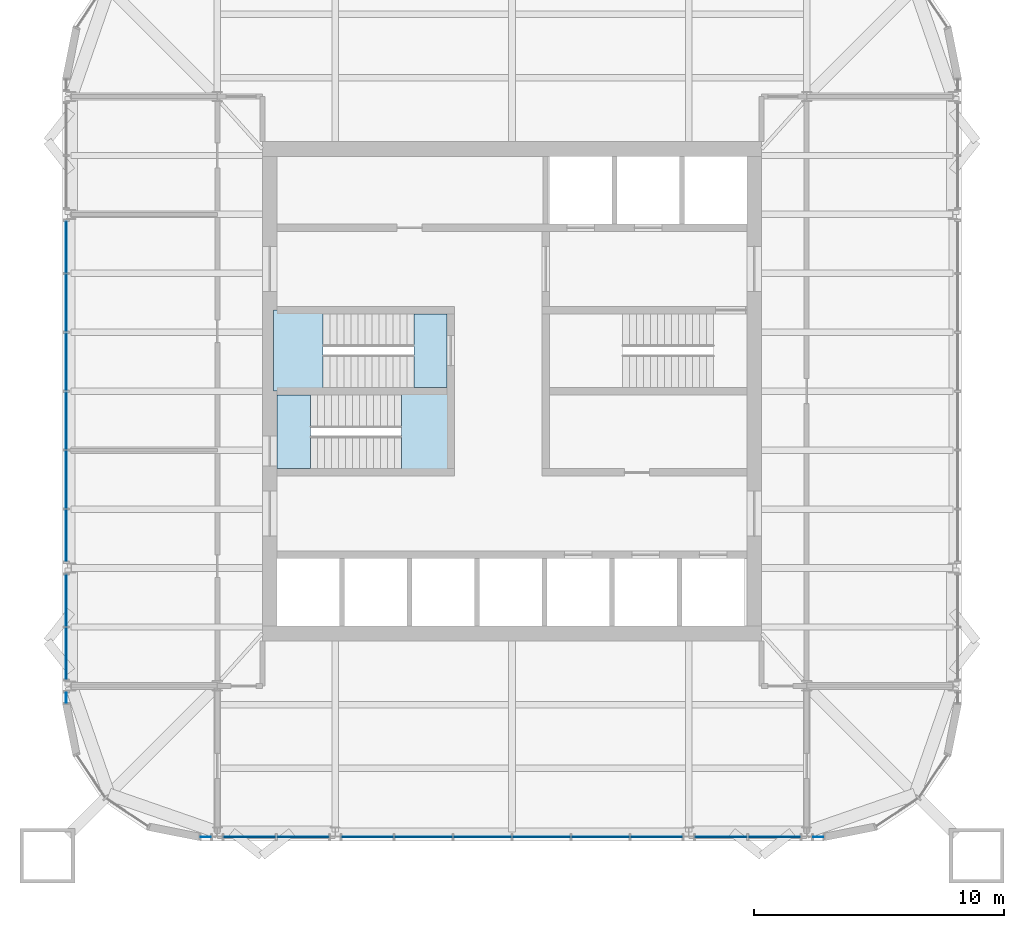
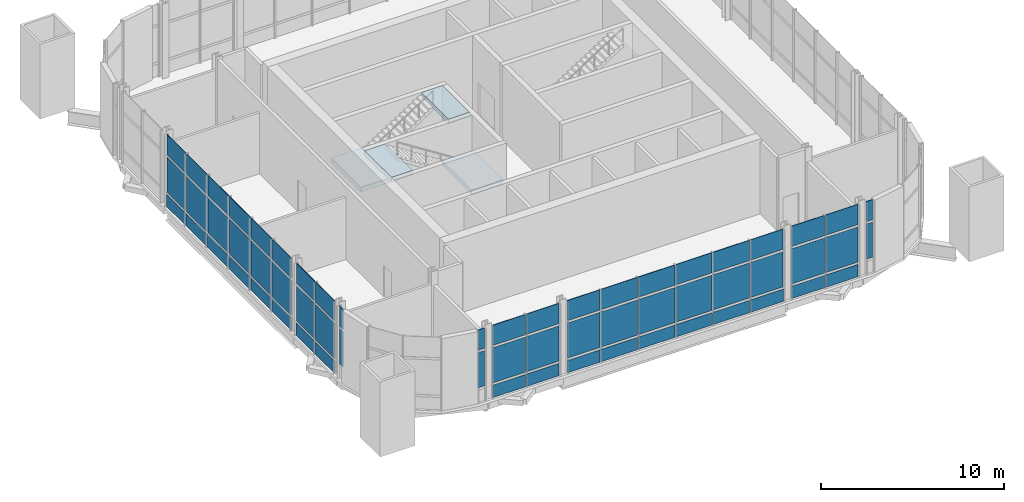
# One storey, part 8 of 15: 60 plates, 4 slabs, 10 elements without a shape of their own.
"""IFC4 building model written with IfcOpenShell, lengths in metres."""

from ifc_helpers import new_model, si_unit, direction, frame, origin, origin_2d, place, context, subcontext, project, spatial, polyline, rectangle, outline, extrude, material, layer, layer_set, type_object, element, aggregate, save


model = new_model("IFC4")

# Units and contexts
model_context = context("Model", 3, precision=1e-05, world=origin(), true_north=direction((0.0, 1.0)))
body_context = subcontext(model_context, "Body", "Model", "MODEL_VIEW")
ifc_project = project(units=[si_unit("LENGTHUNIT", "METRE"), si_unit("AREAUNIT", "SQUARE_METRE"), si_unit("VOLUMEUNIT", "CUBIC_METRE"), si_unit("PLANEANGLEUNIT", "RADIAN"), si_unit("MASSUNIT", "GRAM", prefix="KILO")], contexts=[model_context])

# Site, building, storey
site_placement = place(None, origin())
site = spatial("IfcSite", under=ifc_project, at=site_placement, CompositionType="ELEMENT")
building_placement = place(site_placement, origin())
building = spatial("IfcBuilding", under=site, at=building_placement, Name="Turquesa Mirador Hotel Tower", CompositionType="ELEMENT")
storey_placement = place(building_placement, frame((0.0, 0.0, 261.699951171875)))
storey = spatial("IfcBuildingStorey", under=building, at=storey_placement, Name="L71", CompositionType="ELEMENT", Elevation=261.699951171875)

# Curtain wall, plates
ifc_material_1 = material(Name="Aluminium extrusion", Category="aluminium")
curtain_wall_type = type_object("IfcCurtainWallType", Name="CW-5 SKY RESTAURANT CURTAIN WALL", PredefinedType="USERDEFINED", material=ifc_material_1)
curtain_wall_1_placement = place(storey_placement, origin())
curtain_wall_1 = element("IfcCurtainWall", 1, at=curtain_wall_1_placement, inside=storey, type_object=curtain_wall_type, Name="CW-5 SKY RESTAURANT CURTAIN WALL L71", ObjectType="CURTAIN WALL", PredefinedType="USERDEFINED")
ifc_material_2 = material(Name="Ceramic-printed spandrel glass on an insulated back pan", Category="glass")
ifc_layer_1 = layer(ifc_material_2, 0.050048828125)
ifc_layer_set_1 = layer_set([ifc_layer_1], Name="CW PANEL SPANDREL CERAMIC")
plate_type_1 = type_object("IfcPlateType", Name="CW PANEL SPANDREL CERAMIC", PredefinedType="CURTAIN_PANEL", material=ifc_layer_set_1)
plate_1_placement = place(storey_placement, frame((37.14990234375, 50.782958984375, 0.0), z_axis=(0.0, 0.0, 1.0), x_axis=(0.0, -1.0, 0.0)))
plate_1 = element("IfcPlate", 2, at=plate_1_placement, type_object=plate_type_1, Name="Panel", PredefinedType="CURTAIN_PANEL", context=body_context, shape_type="SweptSolid", body=[
    extrude(rectangle(XDim=2.06103515625, YDim=0.050048828125, at=origin_2d()), origin(), (0.0, 0.0, 1.0), 0.824951171875),
])
plate_2_placement = place(storey_placement, frame((37.14990234375, 48.5400390625, 0.0), z_axis=(0.0, 0.0, 1.0), x_axis=(0.0, -1.0, 0.0)))
plate_2 = element("IfcPlate", 3, at=plate_2_placement, type_object=plate_type_1, Name="Panel", PredefinedType="CURTAIN_PANEL", context=body_context, shape_type="SweptSolid", body=[
    extrude(rectangle(XDim=2.294921875, YDim=0.050048828125, at=origin_2d()), origin(), (0.0, 0.0, 1.0), 0.824951171875),
])
plate_3_placement = place(storey_placement, frame((37.14990234375, 46.179931640625, 0.0), z_axis=(0.0, 0.0, 1.0), x_axis=(0.0, -1.0, 0.0)))
plate_3 = element("IfcPlate", 4, at=plate_3_placement, type_object=plate_type_1, Name="Panel", PredefinedType="CURTAIN_PANEL", context=body_context, shape_type="SweptSolid", body=[
    extrude(rectangle(XDim=2.294921875, YDim=0.050048828125, at=origin_2d()), origin(), (0.0, 0.0, 1.0), 0.824951171875),
])
plate_4_placement = place(storey_placement, frame((37.14990234375, 43.820068359375, 0.0), z_axis=(0.0, 0.0, 1.0), x_axis=(0.0, -1.0, 0.0)))
plate_4 = element("IfcPlate", 5, at=plate_4_placement, type_object=plate_type_1, Name="Panel", PredefinedType="CURTAIN_PANEL", context=body_context, shape_type="SweptSolid", body=[
    extrude(rectangle(XDim=2.294921875, YDim=0.050048828125, at=origin_2d()), origin(), (0.0, 0.0, 1.0), 0.824951171875),
])
plate_5_placement = place(storey_placement, frame((37.14990234375, 41.4599609375, 0.0), z_axis=(0.0, 0.0, 1.0), x_axis=(0.0, -1.0, 0.0)))
plate_5 = element("IfcPlate", 6, at=plate_5_placement, type_object=plate_type_1, Name="Panel", PredefinedType="CURTAIN_PANEL", context=body_context, shape_type="SweptSolid", body=[
    extrude(rectangle(XDim=2.294921875, YDim=0.050048828125, at=origin_2d()), origin(), (0.0, 0.0, 1.0), 0.824951171875),
])
plate_6_placement = place(storey_placement, frame((37.14990234375, 39.217041015625, 0.0), z_axis=(0.0, 0.0, 1.0), x_axis=(0.0, -1.0, 0.0)))
plate_6 = element("IfcPlate", 7, at=plate_6_placement, type_object=plate_type_1, Name="Panel", PredefinedType="CURTAIN_PANEL", context=body_context, shape_type="SweptSolid", body=[
    extrude(rectangle(XDim=2.06103515625, YDim=0.050048828125, at=origin_2d()), origin(), (0.0, 0.0, 1.0), 0.824951171875),
])

curtain_wall_2_placement = place(storey_placement, origin())
curtain_wall_2 = element("IfcCurtainWall", 8, at=curtain_wall_2_placement, inside=storey, type_object=curtain_wall_type, Name="CW-5 SKY RESTAURANT CURTAIN WALL L71", ObjectType="CURTAIN WALL", PredefinedType="USERDEFINED")
plate_7_placement = place(storey_placement, frame((37.14990234375, 36.623046875, 0.0), z_axis=(0.0, 0.0, 1.0), x_axis=(0.0, -1.0, 0.0)))
plate_7 = element("IfcPlate", 9, at=plate_7_placement, type_object=plate_type_1, Name="Panel", PredefinedType="CURTAIN_PANEL", context=body_context, shape_type="SweptSolid", body=[
    extrude(rectangle(XDim=2.06103515625, YDim=0.050048828125, at=origin_2d()), origin(), (0.0, 0.0, 1.0), 0.824951171875),
])
plate_8_placement = place(storey_placement, frame((37.14990234375, 34.496826171875, 0.0), z_axis=(0.0, 0.0, 1.0), x_axis=(0.0, -1.0, 0.0)))
plate_8 = element("IfcPlate", 10, at=plate_8_placement, type_object=plate_type_1, Name="Panel", PredefinedType="CURTAIN_PANEL", context=body_context, shape_type="SweptSolid", body=[
    extrude(rectangle(XDim=2.06103515625, YDim=0.050048828125, at=origin_2d()), origin(), (0.0, 0.0, 1.0), 0.824951171875),
])

curtain_wall_3_placement = place(storey_placement, origin())
curtain_wall_3 = element("IfcCurtainWall", 11, at=curtain_wall_3_placement, inside=storey, type_object=curtain_wall_type, Name="CW-5 SKY RESTAURANT CURTAIN WALL L71", ObjectType="CURTAIN WALL", PredefinedType="USERDEFINED")
plate_9_placement = place(storey_placement, frame((44.496826171875, 27.14990234375, 0.0), z_axis=(0.0, 0.0, 1.0), x_axis=(1.0, 0.0, 0.0)))
plate_9 = element("IfcPlate", 12, at=plate_9_placement, type_object=plate_type_1, Name="Panel", PredefinedType="CURTAIN_PANEL", context=body_context, shape_type="SweptSolid", body=[
    extrude(rectangle(XDim=2.06103515625, YDim=0.050048828125, at=origin_2d()), origin(), (0.0, 0.0, 1.0), 0.824951171875),
])
plate_10_placement = place(storey_placement, frame((46.623046875, 27.14990234375, 0.0), z_axis=(0.0, 0.0, 1.0), x_axis=(1.0, 0.0, 0.0)))
plate_10 = element("IfcPlate", 13, at=plate_10_placement, type_object=plate_type_1, Name="Panel", PredefinedType="CURTAIN_PANEL", context=body_context, shape_type="SweptSolid", body=[
    extrude(rectangle(XDim=2.06103515625, YDim=0.050048828125, at=origin_2d()), origin(), (0.0, 0.0, 1.0), 0.824951171875),
])

curtain_wall_4_placement = place(storey_placement, origin())
curtain_wall_4 = element("IfcCurtainWall", 14, at=curtain_wall_4_placement, inside=storey, type_object=curtain_wall_type, Name="CW-5 SKY RESTAURANT CURTAIN WALL L71", ObjectType="CURTAIN WALL", PredefinedType="USERDEFINED")
plate_11_placement = place(storey_placement, frame((49.217041015625, 27.14990234375, 0.0), z_axis=(0.0, 0.0, 1.0), x_axis=(1.0, 0.0, 0.0)))
plate_11 = element("IfcPlate", 15, at=plate_11_placement, type_object=plate_type_1, Name="Panel", PredefinedType="CURTAIN_PANEL", context=body_context, shape_type="SweptSolid", body=[
    extrude(rectangle(XDim=2.06103515625, YDim=0.050048828125, at=origin_2d()), origin(), (0.0, 0.0, 1.0), 0.824951171875),
])
plate_12_placement = place(storey_placement, frame((51.4599609375, 27.14990234375, 0.0), z_axis=(0.0, 0.0, 1.0), x_axis=(1.0, 0.0, 0.0)))
plate_12 = element("IfcPlate", 16, at=plate_12_placement, type_object=plate_type_1, Name="Panel", PredefinedType="CURTAIN_PANEL", context=body_context, shape_type="SweptSolid", body=[
    extrude(rectangle(XDim=2.294921875, YDim=0.050048828125, at=origin_2d()), origin(), (0.0, 0.0, 1.0), 0.824951171875),
])
plate_13_placement = place(storey_placement, frame((53.820068359375, 27.14990234375, 0.0), z_axis=(0.0, 0.0, 1.0), x_axis=(1.0, 0.0, 0.0)))
plate_13 = element("IfcPlate", 17, at=plate_13_placement, type_object=plate_type_1, Name="Panel", PredefinedType="CURTAIN_PANEL", context=body_context, shape_type="SweptSolid", body=[
    extrude(rectangle(XDim=2.294921875, YDim=0.050048828125, at=origin_2d()), origin(), (0.0, 0.0, 1.0), 0.824951171875),
])
plate_14_placement = place(storey_placement, frame((56.179931640625, 27.14990234375, 0.0), z_axis=(0.0, 0.0, 1.0), x_axis=(1.0, 0.0, 0.0)))
plate_14 = element("IfcPlate", 18, at=plate_14_placement, type_object=plate_type_1, Name="Panel", PredefinedType="CURTAIN_PANEL", context=body_context, shape_type="SweptSolid", body=[
    extrude(rectangle(XDim=2.294921875, YDim=0.050048828125, at=origin_2d()), origin(), (0.0, 0.0, 1.0), 0.824951171875),
])
plate_15_placement = place(storey_placement, frame((58.5400390625, 27.14990234375, 0.0), z_axis=(0.0, 0.0, 1.0), x_axis=(1.0, 0.0, 0.0)))
plate_15 = element("IfcPlate", 19, at=plate_15_placement, type_object=plate_type_1, Name="Panel", PredefinedType="CURTAIN_PANEL", context=body_context, shape_type="SweptSolid", body=[
    extrude(rectangle(XDim=2.294921875, YDim=0.050048828125, at=origin_2d()), origin(), (0.0, 0.0, 1.0), 0.824951171875),
])
plate_16_placement = place(storey_placement, frame((60.782958984375, 27.14990234375, 0.0), z_axis=(0.0, 0.0, 1.0), x_axis=(1.0, 0.0, 0.0)))
plate_16 = element("IfcPlate", 20, at=plate_16_placement, type_object=plate_type_1, Name="Panel", PredefinedType="CURTAIN_PANEL", context=body_context, shape_type="SweptSolid", body=[
    extrude(rectangle(XDim=2.06103515625, YDim=0.050048828125, at=origin_2d()), origin(), (0.0, 0.0, 1.0), 0.824951171875),
])

curtain_wall_5_placement = place(storey_placement, origin())
curtain_wall_5 = element("IfcCurtainWall", 21, at=curtain_wall_5_placement, inside=storey, type_object=curtain_wall_type, Name="CW-5 SKY RESTAURANT CURTAIN WALL L71", ObjectType="CURTAIN WALL", PredefinedType="USERDEFINED")
plate_17_placement = place(storey_placement, frame((63.376953125, 27.14990234375, 0.0), z_axis=(0.0, 0.0, 1.0), x_axis=(1.0, 0.0, 0.0)))
plate_17 = element("IfcPlate", 22, at=plate_17_placement, type_object=plate_type_1, Name="Panel", PredefinedType="CURTAIN_PANEL", context=body_context, shape_type="SweptSolid", body=[
    extrude(rectangle(XDim=2.06103515625, YDim=0.050048828125, at=origin_2d()), origin(), (0.0, 0.0, 1.0), 0.824951171875),
])
plate_18_placement = place(storey_placement, frame((65.503173828125, 27.14990234375, 0.0), z_axis=(0.0, 0.0, 1.0), x_axis=(1.0, 0.0, 0.0)))
plate_18 = element("IfcPlate", 23, at=plate_18_placement, type_object=plate_type_1, Name="Panel", PredefinedType="CURTAIN_PANEL", context=body_context, shape_type="SweptSolid", body=[
    extrude(rectangle(XDim=2.06103515625, YDim=0.050048828125, at=origin_2d()), origin(), (0.0, 0.0, 1.0), 0.824951171875),
])

# Plate
ifc_material_3 = material(Name="Ceramic-fritted laminated glass", Category="glass")
ifc_layer_2 = layer(ifc_material_3, 0.031982421875)
ifc_layer_set_2 = layer_set([ifc_layer_2], Name="CW PANEL VISION FRITTED")
plate_type_2 = type_object("IfcPlateType", Name="CW PANEL VISION FRITTED", PredefinedType="CURTAIN_PANEL", material=ifc_layer_set_2)
plate_19_placement = place(storey_placement, frame((37.14990234375, 50.782958984375, 0.97509765625), z_axis=(0.0, 0.0, 1.0), x_axis=(0.0, -1.0, 0.0)))
plate_19 = element("IfcPlate", 24, at=plate_19_placement, type_object=plate_type_2, Name="Panel", PredefinedType="CURTAIN_PANEL", context=body_context, shape_type="SweptSolid", body=[
    extrude(rectangle(XDim=2.06103515625, YDim=0.031982421875, at=origin_2d()), origin(), (0.0, 0.0, 1.0), 2.35009765625),
])

plate_20_placement = place(storey_placement, frame((37.14990234375, 50.782958984375, 3.47509765625), z_axis=(0.0, 0.0, 1.0), x_axis=(0.0, -1.0, 0.0)))
plate_20 = element("IfcPlate", 25, at=plate_20_placement, type_object=plate_type_2, Name="Panel", PredefinedType="CURTAIN_PANEL", context=body_context, shape_type="SweptSolid", body=[
    extrude(rectangle(XDim=2.06103515625, YDim=0.031982421875, at=origin_2d()), origin(), (0.0, 0.0, 1.0), 1.35498046875),
])

plate_21_placement = place(storey_placement, frame((37.14990234375, 48.5400390625, 0.97509765625), z_axis=(0.0, 0.0, 1.0), x_axis=(0.0, -1.0, 0.0)))
plate_21 = element("IfcPlate", 26, at=plate_21_placement, type_object=plate_type_2, Name="Panel", PredefinedType="CURTAIN_PANEL", context=body_context, shape_type="SweptSolid", body=[
    extrude(rectangle(XDim=2.294921875, YDim=0.031982421875, at=origin_2d()), origin(), (0.0, 0.0, 1.0), 2.35009765625),
])

plate_22_placement = place(storey_placement, frame((37.14990234375, 48.5400390625, 3.47509765625), z_axis=(0.0, 0.0, 1.0), x_axis=(0.0, -1.0, 0.0)))
plate_22 = element("IfcPlate", 27, at=plate_22_placement, type_object=plate_type_2, Name="Panel", PredefinedType="CURTAIN_PANEL", context=body_context, shape_type="SweptSolid", body=[
    extrude(rectangle(XDim=2.294921875, YDim=0.031982421875, at=origin_2d()), origin(), (0.0, 0.0, 1.0), 1.35498046875),
])

plate_23_placement = place(storey_placement, frame((37.14990234375, 46.179931640625, 0.97509765625), z_axis=(0.0, 0.0, 1.0), x_axis=(0.0, -1.0, 0.0)))
plate_23 = element("IfcPlate", 28, at=plate_23_placement, type_object=plate_type_2, Name="Panel", PredefinedType="CURTAIN_PANEL", context=body_context, shape_type="SweptSolid", body=[
    extrude(rectangle(XDim=2.294921875, YDim=0.031982421875, at=origin_2d()), origin(), (0.0, 0.0, 1.0), 2.35009765625),
])

plate_24_placement = place(storey_placement, frame((37.14990234375, 46.179931640625, 3.47509765625), z_axis=(0.0, 0.0, 1.0), x_axis=(0.0, -1.0, 0.0)))
plate_24 = element("IfcPlate", 29, at=plate_24_placement, type_object=plate_type_2, Name="Panel", PredefinedType="CURTAIN_PANEL", context=body_context, shape_type="SweptSolid", body=[
    extrude(rectangle(XDim=2.294921875, YDim=0.031982421875, at=origin_2d()), origin(), (0.0, 0.0, 1.0), 1.35498046875),
])

plate_25_placement = place(storey_placement, frame((37.14990234375, 43.820068359375, 0.97509765625), z_axis=(0.0, 0.0, 1.0), x_axis=(0.0, -1.0, 0.0)))
plate_25 = element("IfcPlate", 30, at=plate_25_placement, type_object=plate_type_2, Name="Panel", PredefinedType="CURTAIN_PANEL", context=body_context, shape_type="SweptSolid", body=[
    extrude(rectangle(XDim=2.294921875, YDim=0.031982421875, at=origin_2d()), origin(), (0.0, 0.0, 1.0), 2.35009765625),
])

plate_26_placement = place(storey_placement, frame((37.14990234375, 43.820068359375, 3.47509765625), z_axis=(0.0, 0.0, 1.0), x_axis=(0.0, -1.0, 0.0)))
plate_26 = element("IfcPlate", 31, at=plate_26_placement, type_object=plate_type_2, Name="Panel", PredefinedType="CURTAIN_PANEL", context=body_context, shape_type="SweptSolid", body=[
    extrude(rectangle(XDim=2.294921875, YDim=0.031982421875, at=origin_2d()), origin(), (0.0, 0.0, 1.0), 1.35498046875),
])

plate_27_placement = place(storey_placement, frame((37.14990234375, 41.4599609375, 0.97509765625), z_axis=(0.0, 0.0, 1.0), x_axis=(0.0, -1.0, 0.0)))
plate_27 = element("IfcPlate", 32, at=plate_27_placement, type_object=plate_type_2, Name="Panel", PredefinedType="CURTAIN_PANEL", context=body_context, shape_type="SweptSolid", body=[
    extrude(rectangle(XDim=2.294921875, YDim=0.031982421875, at=origin_2d()), origin(), (0.0, 0.0, 1.0), 2.35009765625),
])

plate_28_placement = place(storey_placement, frame((37.14990234375, 41.4599609375, 3.47509765625), z_axis=(0.0, 0.0, 1.0), x_axis=(0.0, -1.0, 0.0)))
plate_28 = element("IfcPlate", 33, at=plate_28_placement, type_object=plate_type_2, Name="Panel", PredefinedType="CURTAIN_PANEL", context=body_context, shape_type="SweptSolid", body=[
    extrude(rectangle(XDim=2.294921875, YDim=0.031982421875, at=origin_2d()), origin(), (0.0, 0.0, 1.0), 1.35498046875),
])

plate_29_placement = place(storey_placement, frame((37.14990234375, 39.217041015625, 0.97509765625), z_axis=(0.0, 0.0, 1.0), x_axis=(0.0, -1.0, 0.0)))
plate_29 = element("IfcPlate", 34, at=plate_29_placement, type_object=plate_type_2, Name="Panel", PredefinedType="CURTAIN_PANEL", context=body_context, shape_type="SweptSolid", body=[
    extrude(rectangle(XDim=2.06103515625, YDim=0.031982421875, at=origin_2d()), origin(), (0.0, 0.0, 1.0), 2.35009765625),
])

plate_30_placement = place(storey_placement, frame((37.14990234375, 39.217041015625, 3.47509765625), z_axis=(0.0, 0.0, 1.0), x_axis=(0.0, -1.0, 0.0)))
plate_30 = element("IfcPlate", 35, at=plate_30_placement, type_object=plate_type_2, Name="Panel", PredefinedType="CURTAIN_PANEL", context=body_context, shape_type="SweptSolid", body=[
    extrude(rectangle(XDim=2.06103515625, YDim=0.031982421875, at=origin_2d()), origin(), (0.0, 0.0, 1.0), 1.35498046875),
])

aggregate(curtain_wall_1, [plate_1, plate_19, plate_20, plate_2, plate_21, plate_22, plate_3, plate_23, plate_24, plate_4, plate_25, plate_26, plate_5, plate_27, plate_28, plate_6, plate_29, plate_30])

plate_31_placement = place(storey_placement, frame((37.14990234375, 36.623046875, 0.97509765625), z_axis=(0.0, 0.0, 1.0), x_axis=(0.0, -1.0, 0.0)))
plate_31 = element("IfcPlate", 36, at=plate_31_placement, type_object=plate_type_2, Name="Panel", PredefinedType="CURTAIN_PANEL", context=body_context, shape_type="SweptSolid", body=[
    extrude(rectangle(XDim=2.06103515625, YDim=0.031982421875, at=origin_2d()), origin(), (0.0, 0.0, 1.0), 2.35009765625),
])

plate_32_placement = place(storey_placement, frame((37.14990234375, 36.623046875, 3.47509765625), z_axis=(0.0, 0.0, 1.0), x_axis=(0.0, -1.0, 0.0)))
plate_32 = element("IfcPlate", 37, at=plate_32_placement, type_object=plate_type_2, Name="Panel", PredefinedType="CURTAIN_PANEL", context=body_context, shape_type="SweptSolid", body=[
    extrude(rectangle(XDim=2.06103515625, YDim=0.031982421875, at=origin_2d()), origin(), (0.0, 0.0, 1.0), 1.35498046875),
])

plate_33_placement = place(storey_placement, frame((37.14990234375, 34.496826171875, 0.97509765625), z_axis=(0.0, 0.0, 1.0), x_axis=(0.0, -1.0, 0.0)))
plate_33 = element("IfcPlate", 38, at=plate_33_placement, type_object=plate_type_2, Name="Panel", PredefinedType="CURTAIN_PANEL", context=body_context, shape_type="SweptSolid", body=[
    extrude(rectangle(XDim=2.06103515625, YDim=0.031982421875, at=origin_2d()), origin(), (0.0, 0.0, 1.0), 2.35009765625),
])

plate_34_placement = place(storey_placement, frame((37.14990234375, 34.496826171875, 3.47509765625), z_axis=(0.0, 0.0, 1.0), x_axis=(0.0, -1.0, 0.0)))
plate_34 = element("IfcPlate", 39, at=plate_34_placement, type_object=plate_type_2, Name="Panel", PredefinedType="CURTAIN_PANEL", context=body_context, shape_type="SweptSolid", body=[
    extrude(rectangle(XDim=2.06103515625, YDim=0.031982421875, at=origin_2d()), origin(), (0.0, 0.0, 1.0), 1.35498046875),
])

aggregate(curtain_wall_2, [plate_7, plate_31, plate_32, plate_8, plate_33, plate_34])

# Curtain wall, plates
curtain_wall_6_placement = place(storey_placement, origin())
curtain_wall_6 = element("IfcCurtainWall", 40, at=curtain_wall_6_placement, inside=storey, type_object=curtain_wall_type, Name="CW-5 SKY RESTAURANT CURTAIN WALL L71", ObjectType="CURTAIN WALL", PredefinedType="USERDEFINED")
plate_35_placement = place(storey_placement, frame((37.14990234375, 32.733154296875, 0.97509765625), z_axis=(0.0, 0.0, 1.0), x_axis=(0.0, -1.0, 0.0)))
plate_35 = element("IfcPlate", 41, at=plate_35_placement, type_object=plate_type_2, Name="Panel", PredefinedType="CURTAIN_PANEL", context=body_context, shape_type="SweptSolid", body=[
    extrude(rectangle(XDim=0.401123046875, YDim=0.031982421875, at=origin_2d()), origin(), (0.0, 0.0, 1.0), 2.35009765625),
])
plate_36_placement = place(storey_placement, frame((37.14990234375, 32.733154296875, 3.47509765625), z_axis=(0.0, 0.0, 1.0), x_axis=(0.0, -1.0, 0.0)))
plate_36 = element("IfcPlate", 42, at=plate_36_placement, type_object=plate_type_2, Name="Panel", PredefinedType="CURTAIN_PANEL", context=body_context, shape_type="SweptSolid", body=[
    extrude(rectangle(XDim=0.401123046875, YDim=0.031982421875, at=origin_2d()), origin(), (0.0, 0.0, 1.0), 1.35498046875),
])
aggregate(curtain_wall_6, [plate_35, plate_36])

curtain_wall_7_placement = place(storey_placement, origin())
curtain_wall_7 = element("IfcCurtainWall", 43, at=curtain_wall_7_placement, inside=storey, type_object=curtain_wall_type, Name="CW-5 SKY RESTAURANT CURTAIN WALL L71", ObjectType="CURTAIN WALL", PredefinedType="USERDEFINED")
plate_37_placement = place(storey_placement, frame((42.733154296875, 27.14990234375, 0.97509765625), z_axis=(0.0, 0.0, 1.0), x_axis=(1.0, 0.0, 0.0)))
plate_37 = element("IfcPlate", 44, at=plate_37_placement, type_object=plate_type_2, Name="Panel", PredefinedType="CURTAIN_PANEL", context=body_context, shape_type="SweptSolid", body=[
    extrude(rectangle(XDim=0.401123046875, YDim=0.031982421875, at=origin_2d()), origin(), (0.0, 0.0, 1.0), 2.35009765625),
])
plate_38_placement = place(storey_placement, frame((42.733154296875, 27.14990234375, 3.47509765625), z_axis=(0.0, 0.0, 1.0), x_axis=(1.0, 0.0, 0.0)))
plate_38 = element("IfcPlate", 45, at=plate_38_placement, type_object=plate_type_2, Name="Panel", PredefinedType="CURTAIN_PANEL", context=body_context, shape_type="SweptSolid", body=[
    extrude(rectangle(XDim=0.401123046875, YDim=0.031982421875, at=origin_2d()), origin(), (0.0, 0.0, 1.0), 1.35498046875),
])
aggregate(curtain_wall_7, [plate_37, plate_38])

# Plate
plate_39_placement = place(storey_placement, frame((44.496826171875, 27.14990234375, 0.97509765625), z_axis=(0.0, 0.0, 1.0), x_axis=(1.0, 0.0, 0.0)))
plate_39 = element("IfcPlate", 46, at=plate_39_placement, type_object=plate_type_2, Name="Panel", PredefinedType="CURTAIN_PANEL", context=body_context, shape_type="SweptSolid", body=[
    extrude(rectangle(XDim=2.06103515625, YDim=0.031982421875, at=origin_2d()), origin(), (0.0, 0.0, 1.0), 2.35009765625),
])

plate_40_placement = place(storey_placement, frame((44.496826171875, 27.14990234375, 3.47509765625), z_axis=(0.0, 0.0, 1.0), x_axis=(1.0, 0.0, 0.0)))
plate_40 = element("IfcPlate", 47, at=plate_40_placement, type_object=plate_type_2, Name="Panel", PredefinedType="CURTAIN_PANEL", context=body_context, shape_type="SweptSolid", body=[
    extrude(rectangle(XDim=2.06103515625, YDim=0.031982421875, at=origin_2d()), origin(), (0.0, 0.0, 1.0), 1.35498046875),
])

plate_41_placement = place(storey_placement, frame((46.623046875, 27.14990234375, 0.97509765625), z_axis=(0.0, 0.0, 1.0), x_axis=(1.0, 0.0, 0.0)))
plate_41 = element("IfcPlate", 48, at=plate_41_placement, type_object=plate_type_2, Name="Panel", PredefinedType="CURTAIN_PANEL", context=body_context, shape_type="SweptSolid", body=[
    extrude(rectangle(XDim=2.06103515625, YDim=0.031982421875, at=origin_2d()), origin(), (0.0, 0.0, 1.0), 2.35009765625),
])

plate_42_placement = place(storey_placement, frame((46.623046875, 27.14990234375, 3.47509765625), z_axis=(0.0, 0.0, 1.0), x_axis=(1.0, 0.0, 0.0)))
plate_42 = element("IfcPlate", 49, at=plate_42_placement, type_object=plate_type_2, Name="Panel", PredefinedType="CURTAIN_PANEL", context=body_context, shape_type="SweptSolid", body=[
    extrude(rectangle(XDim=2.06103515625, YDim=0.031982421875, at=origin_2d()), origin(), (0.0, 0.0, 1.0), 1.35498046875),
])

aggregate(curtain_wall_3, [plate_9, plate_39, plate_40, plate_10, plate_41, plate_42])

plate_43_placement = place(storey_placement, frame((49.217041015625, 27.14990234375, 0.97509765625), z_axis=(0.0, 0.0, 1.0), x_axis=(1.0, 0.0, 0.0)))
plate_43 = element("IfcPlate", 50, at=plate_43_placement, type_object=plate_type_2, Name="Panel", PredefinedType="CURTAIN_PANEL", context=body_context, shape_type="SweptSolid", body=[
    extrude(rectangle(XDim=2.06103515625, YDim=0.031982421875, at=origin_2d()), origin(), (0.0, 0.0, 1.0), 2.35009765625),
])

plate_44_placement = place(storey_placement, frame((49.217041015625, 27.14990234375, 3.47509765625), z_axis=(0.0, 0.0, 1.0), x_axis=(1.0, 0.0, 0.0)))
plate_44 = element("IfcPlate", 51, at=plate_44_placement, type_object=plate_type_2, Name="Panel", PredefinedType="CURTAIN_PANEL", context=body_context, shape_type="SweptSolid", body=[
    extrude(rectangle(XDim=2.06103515625, YDim=0.031982421875, at=origin_2d()), origin(), (0.0, 0.0, 1.0), 1.35498046875),
])

plate_45_placement = place(storey_placement, frame((51.4599609375, 27.14990234375, 0.97509765625), z_axis=(0.0, 0.0, 1.0), x_axis=(1.0, 0.0, 0.0)))
plate_45 = element("IfcPlate", 52, at=plate_45_placement, type_object=plate_type_2, Name="Panel", PredefinedType="CURTAIN_PANEL", context=body_context, shape_type="SweptSolid", body=[
    extrude(rectangle(XDim=2.294921875, YDim=0.031982421875, at=origin_2d()), origin(), (0.0, 0.0, 1.0), 2.35009765625),
])

plate_46_placement = place(storey_placement, frame((51.4599609375, 27.14990234375, 3.47509765625), z_axis=(0.0, 0.0, 1.0), x_axis=(1.0, 0.0, 0.0)))
plate_46 = element("IfcPlate", 53, at=plate_46_placement, type_object=plate_type_2, Name="Panel", PredefinedType="CURTAIN_PANEL", context=body_context, shape_type="SweptSolid", body=[
    extrude(rectangle(XDim=2.294921875, YDim=0.031982421875, at=origin_2d()), origin(), (0.0, 0.0, 1.0), 1.35498046875),
])

plate_47_placement = place(storey_placement, frame((53.820068359375, 27.14990234375, 0.97509765625), z_axis=(0.0, 0.0, 1.0), x_axis=(1.0, 0.0, 0.0)))
plate_47 = element("IfcPlate", 54, at=plate_47_placement, type_object=plate_type_2, Name="Panel", PredefinedType="CURTAIN_PANEL", context=body_context, shape_type="SweptSolid", body=[
    extrude(rectangle(XDim=2.294921875, YDim=0.031982421875, at=origin_2d()), origin(), (0.0, 0.0, 1.0), 2.35009765625),
])

plate_48_placement = place(storey_placement, frame((53.820068359375, 27.14990234375, 3.47509765625), z_axis=(0.0, 0.0, 1.0), x_axis=(1.0, 0.0, 0.0)))
plate_48 = element("IfcPlate", 55, at=plate_48_placement, type_object=plate_type_2, Name="Panel", PredefinedType="CURTAIN_PANEL", context=body_context, shape_type="SweptSolid", body=[
    extrude(rectangle(XDim=2.294921875, YDim=0.031982421875, at=origin_2d()), origin(), (0.0, 0.0, 1.0), 1.35498046875),
])

plate_49_placement = place(storey_placement, frame((56.179931640625, 27.14990234375, 0.97509765625), z_axis=(0.0, 0.0, 1.0), x_axis=(1.0, 0.0, 0.0)))
plate_49 = element("IfcPlate", 56, at=plate_49_placement, type_object=plate_type_2, Name="Panel", PredefinedType="CURTAIN_PANEL", context=body_context, shape_type="SweptSolid", body=[
    extrude(rectangle(XDim=2.294921875, YDim=0.031982421875, at=origin_2d()), origin(), (0.0, 0.0, 1.0), 2.35009765625),
])

plate_50_placement = place(storey_placement, frame((56.179931640625, 27.14990234375, 3.47509765625), z_axis=(0.0, 0.0, 1.0), x_axis=(1.0, 0.0, 0.0)))
plate_50 = element("IfcPlate", 57, at=plate_50_placement, type_object=plate_type_2, Name="Panel", PredefinedType="CURTAIN_PANEL", context=body_context, shape_type="SweptSolid", body=[
    extrude(rectangle(XDim=2.294921875, YDim=0.031982421875, at=origin_2d()), origin(), (0.0, 0.0, 1.0), 1.35498046875),
])

plate_51_placement = place(storey_placement, frame((58.5400390625, 27.14990234375, 0.97509765625), z_axis=(0.0, 0.0, 1.0), x_axis=(1.0, 0.0, 0.0)))
plate_51 = element("IfcPlate", 58, at=plate_51_placement, type_object=plate_type_2, Name="Panel", PredefinedType="CURTAIN_PANEL", context=body_context, shape_type="SweptSolid", body=[
    extrude(rectangle(XDim=2.294921875, YDim=0.031982421875, at=origin_2d()), origin(), (0.0, 0.0, 1.0), 2.35009765625),
])

plate_52_placement = place(storey_placement, frame((58.5400390625, 27.14990234375, 3.47509765625), z_axis=(0.0, 0.0, 1.0), x_axis=(1.0, 0.0, 0.0)))
plate_52 = element("IfcPlate", 59, at=plate_52_placement, type_object=plate_type_2, Name="Panel", PredefinedType="CURTAIN_PANEL", context=body_context, shape_type="SweptSolid", body=[
    extrude(rectangle(XDim=2.294921875, YDim=0.031982421875, at=origin_2d()), origin(), (0.0, 0.0, 1.0), 1.35498046875),
])

plate_53_placement = place(storey_placement, frame((60.782958984375, 27.14990234375, 0.97509765625), z_axis=(0.0, 0.0, 1.0), x_axis=(1.0, 0.0, 0.0)))
plate_53 = element("IfcPlate", 60, at=plate_53_placement, type_object=plate_type_2, Name="Panel", PredefinedType="CURTAIN_PANEL", context=body_context, shape_type="SweptSolid", body=[
    extrude(rectangle(XDim=2.06103515625, YDim=0.031982421875, at=origin_2d()), origin(), (0.0, 0.0, 1.0), 2.35009765625),
])

plate_54_placement = place(storey_placement, frame((60.782958984375, 27.14990234375, 3.47509765625), z_axis=(0.0, 0.0, 1.0), x_axis=(1.0, 0.0, 0.0)))
plate_54 = element("IfcPlate", 61, at=plate_54_placement, type_object=plate_type_2, Name="Panel", PredefinedType="CURTAIN_PANEL", context=body_context, shape_type="SweptSolid", body=[
    extrude(rectangle(XDim=2.06103515625, YDim=0.031982421875, at=origin_2d()), origin(), (0.0, 0.0, 1.0), 1.35498046875),
])

aggregate(curtain_wall_4, [plate_11, plate_43, plate_44, plate_12, plate_45, plate_46, plate_13, plate_47, plate_48, plate_14, plate_49, plate_50, plate_15, plate_51, plate_52, plate_16, plate_53, plate_54])

plate_55_placement = place(storey_placement, frame((63.376953125, 27.14990234375, 0.97509765625), z_axis=(0.0, 0.0, 1.0), x_axis=(1.0, 0.0, 0.0)))
plate_55 = element("IfcPlate", 62, at=plate_55_placement, type_object=plate_type_2, Name="Panel", PredefinedType="CURTAIN_PANEL", context=body_context, shape_type="SweptSolid", body=[
    extrude(rectangle(XDim=2.06103515625, YDim=0.031982421875, at=origin_2d()), origin(), (0.0, 0.0, 1.0), 2.35009765625),
])

plate_56_placement = place(storey_placement, frame((63.376953125, 27.14990234375, 3.47509765625), z_axis=(0.0, 0.0, 1.0), x_axis=(1.0, 0.0, 0.0)))
plate_56 = element("IfcPlate", 63, at=plate_56_placement, type_object=plate_type_2, Name="Panel", PredefinedType="CURTAIN_PANEL", context=body_context, shape_type="SweptSolid", body=[
    extrude(rectangle(XDim=2.06103515625, YDim=0.031982421875, at=origin_2d()), origin(), (0.0, 0.0, 1.0), 1.35498046875),
])

plate_57_placement = place(storey_placement, frame((65.503173828125, 27.14990234375, 0.97509765625), z_axis=(0.0, 0.0, 1.0), x_axis=(1.0, 0.0, 0.0)))
plate_57 = element("IfcPlate", 64, at=plate_57_placement, type_object=plate_type_2, Name="Panel", PredefinedType="CURTAIN_PANEL", context=body_context, shape_type="SweptSolid", body=[
    extrude(rectangle(XDim=2.06103515625, YDim=0.031982421875, at=origin_2d()), origin(), (0.0, 0.0, 1.0), 2.35009765625),
])

plate_58_placement = place(storey_placement, frame((65.503173828125, 27.14990234375, 3.47509765625), z_axis=(0.0, 0.0, 1.0), x_axis=(1.0, 0.0, 0.0)))
plate_58 = element("IfcPlate", 65, at=plate_58_placement, type_object=plate_type_2, Name="Panel", PredefinedType="CURTAIN_PANEL", context=body_context, shape_type="SweptSolid", body=[
    extrude(rectangle(XDim=2.06103515625, YDim=0.031982421875, at=origin_2d()), origin(), (0.0, 0.0, 1.0), 1.35498046875),
])

aggregate(curtain_wall_5, [plate_17, plate_55, plate_56, plate_18, plate_57, plate_58])

# Curtain wall, plates
curtain_wall_8_placement = place(storey_placement, origin())
curtain_wall_8 = element("IfcCurtainWall", 66, at=curtain_wall_8_placement, inside=storey, type_object=curtain_wall_type, Name="CW-5 SKY RESTAURANT CURTAIN WALL L71", ObjectType="CURTAIN WALL", PredefinedType="USERDEFINED")
plate_59_placement = place(storey_placement, frame((67.266845703125, 27.14990234375, 0.97509765625), z_axis=(0.0, 0.0, 1.0), x_axis=(1.0, 0.0, 0.0)))
plate_59 = element("IfcPlate", 67, at=plate_59_placement, type_object=plate_type_2, Name="Panel", PredefinedType="CURTAIN_PANEL", context=body_context, shape_type="SweptSolid", body=[
    extrude(rectangle(XDim=0.401123046875, YDim=0.031982421875, at=origin_2d()), origin(), (0.0, 0.0, 1.0), 2.35009765625),
])
plate_60_placement = place(storey_placement, frame((67.266845703125, 27.14990234375, 3.47509765625), z_axis=(0.0, 0.0, 1.0), x_axis=(1.0, 0.0, 0.0)))
plate_60 = element("IfcPlate", 68, at=plate_60_placement, type_object=plate_type_2, Name="Panel", PredefinedType="CURTAIN_PANEL", context=body_context, shape_type="SweptSolid", body=[
    extrude(rectangle(XDim=0.401123046875, YDim=0.031982421875, at=origin_2d()), origin(), (0.0, 0.0, 1.0), 1.35498046875),
])
aggregate(curtain_wall_8, [plate_59, plate_60])

# Stair, slabs
ifc_material_4 = material(Name="Concrete C35/45", Category="concrete")
stair_type = type_object("IfcStairType", Name="ESCAPE STAIR CORE", PredefinedType="HALF_TURN_STAIR", material=ifc_material_4)
stair_1_placement = place(storey_placement, origin())
stair_1 = element("IfcStair", 69, at=stair_1_placement, inside=storey, type_object=stair_type, Name="Stair ST1 L71 to L72", PredefinedType="HALF_TURN_STAIR")
ifc_material_5 = material(Name="Concrete C35/45", Category="concrete")
ifc_layer_3 = layer(ifc_material_5, 0.300048828125)
ifc_layer_set_3 = layer_set([ifc_layer_3], Name="STAIR LANDING 300")
slab_type = type_object("IfcSlabType", Name="STAIR LANDING 300", PredefinedType="LANDING", material=ifc_layer_set_3)
slab_1_placement = place(storey_placement, frame((0.0, 0.0, 2.199951171875)))
slab_1 = element("IfcSlab", 70, at=slab_1_placement, type_object=slab_type, Name="ST1 landing 1", PredefinedType="LANDING", context=body_context, shape_type="SweptSolid", body=[
    extrude(outline(polyline([(45.449951171875, 45.0), (47.429931640625, 45.0), (47.429931640625, 48.25), (45.449951171875, 48.25), (45.449951171875, 45.0)])), origin(), (0.0, 0.0, 1.0), 0.300048828125),
])
slab_2_placement = place(storey_placement, frame((0.0, 0.0, 4.699951171875)))
slab_2 = element("IfcSlab", 71, at=slab_2_placement, type_object=slab_type, Name="ST1 landing 2", PredefinedType="LANDING", context=body_context, shape_type="SweptSolid", body=[
    extrude(outline(polyline([(51.070068359375, 45.14990234375), (52.39990234375, 45.14990234375), (52.39990234375, 48.10009765625), (51.070068359375, 48.10009765625), (51.070068359375, 45.14990234375)])), origin(), (0.0, 0.0, 1.0), 0.300048828125),
])
aggregate(stair_1, [slab_1, slab_2])

stair_2_placement = place(storey_placement, origin())
stair_2 = element("IfcStair", 72, at=stair_2_placement, inside=storey, type_object=stair_type, Name="Stair ST2 L71 to L72", PredefinedType="HALF_TURN_STAIR")
slab_3_placement = place(storey_placement, frame((0.0, 0.0, 2.199951171875)))
slab_3 = element("IfcSlab", 73, at=slab_3_placement, type_object=slab_type, Name="ST2 landing 1", PredefinedType="LANDING", context=body_context, shape_type="SweptSolid", body=[
    extrude(outline(polyline([(52.550048828125, 45.0), (50.570068359375, 45.0), (50.570068359375, 41.75), (52.550048828125, 41.75), (52.550048828125, 45.0)])), origin(), (0.0, 0.0, 1.0), 0.300048828125),
])
slab_4_placement = place(storey_placement, frame((0.0, 0.0, 4.699951171875)))
slab_4 = element("IfcSlab", 74, at=slab_4_placement, type_object=slab_type, Name="ST2 landing 2", PredefinedType="LANDING", context=body_context, shape_type="SweptSolid", body=[
    extrude(outline(polyline([(46.929931640625, 44.85009765625), (45.60009765625, 44.85009765625), (45.60009765625, 41.89990234375), (46.929931640625, 41.89990234375), (46.929931640625, 44.85009765625)])), origin(), (0.0, 0.0, 1.0), 0.300048828125),
])
aggregate(stair_2, [slab_3, slab_4])

save(model, "model.ifc")
